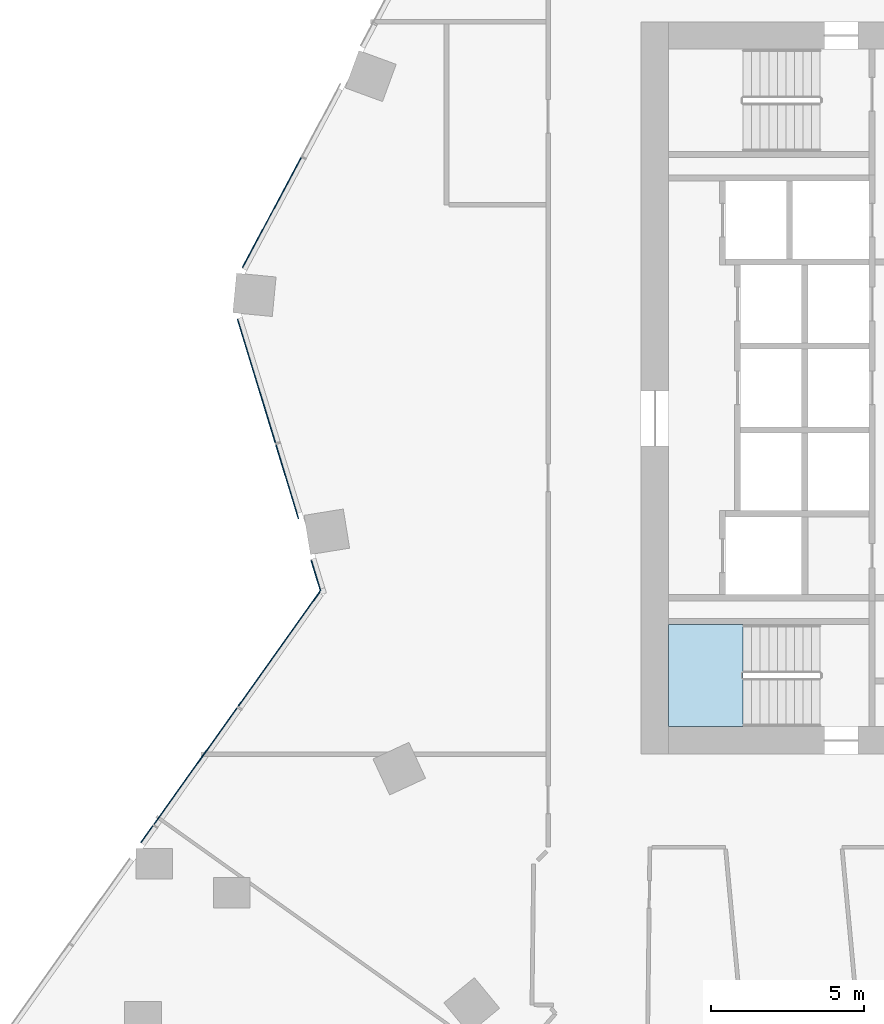
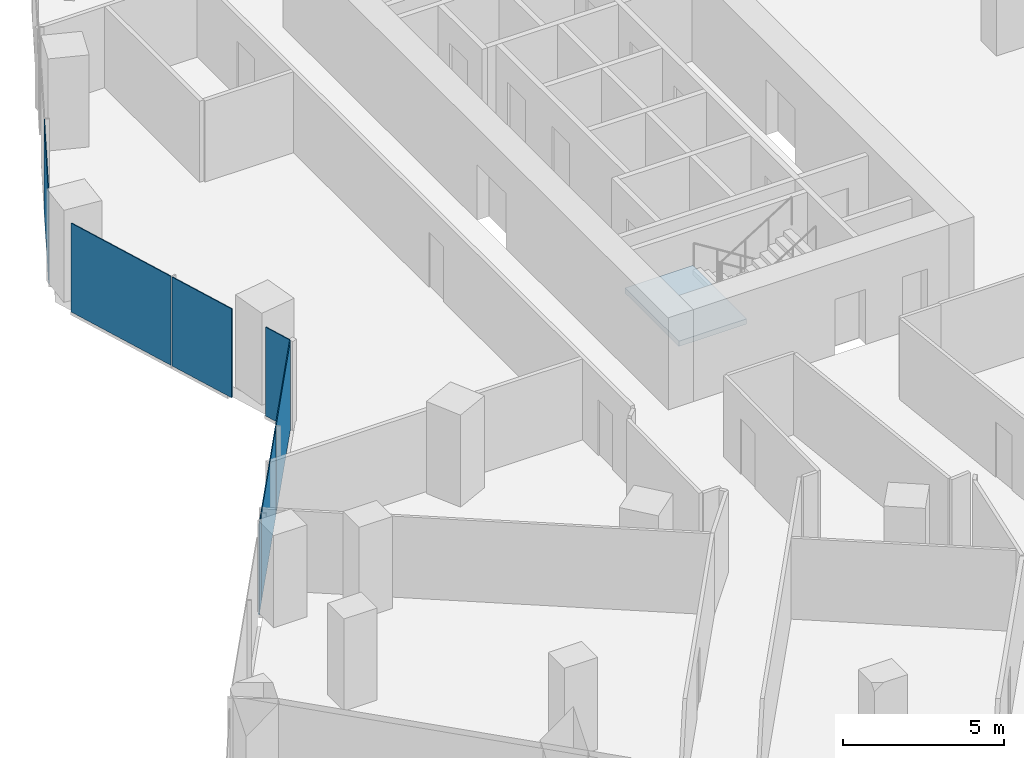
# One storey, part 18 of 31: 7 plates, 1 slab, 4 elements without a shape of their own.
"""IFC4 building model written with IfcOpenShell, lengths in metres."""

import ifcopenshell
import ifcopenshell.guid

model = None  # the IFC model being written
_history = None  # IfcOwnerHistory: only IFC2X3 demands one
_inside = {}  # id of a spatial element -> (the spatial element, [elements in it])
_under = {}  # id of a project, library or spatial element -> (it, [spatial elements below it])
_declared = {}  # id of a project -> (the project, [libraries it declares])
_typed = {}  # id of a type object -> (the type object, [elements of that type])
_made_of = {}  # id of a material, layer set ... -> (it, [elements and type objects made of it])


def new_model(schema):
    """Start an empty IFC model of exactly this schema.

    Asked for "IFC4X3", IfcOpenShell would pick the latest addendum, in which some entities
    have other attributes; the version numbers below select the first issue.
    IFC2X3 requires an IfcOwnerHistory on every rooted entity: one is made here for all.
    """
    global model, _history
    if schema == "IFC4X3":
        model = ifcopenshell.file(schema_version=(4, 3, 0, 0))
    else:
        model = ifcopenshell.file(schema=schema)
    _inside.clear()
    _under.clear()
    _declared.clear()
    _typed.clear()
    _made_of.clear()
    _history = None
    if model.schema == "IFC2X3":
        org = make("IfcOrganization", Name="unknown")
        user = make(
            "IfcPersonAndOrganization",
            ThePerson=make("IfcPerson", FamilyName="unknown"),
            TheOrganization=org,
        )
        app = make(
            "IfcApplication",
            ApplicationDeveloper=org,
            Version="unknown",
            ApplicationFullName="unknown",
            ApplicationIdentifier="unknown",
        )
        _history = make(
            "IfcOwnerHistory",
            OwningUser=user,
            OwningApplication=app,
            ChangeAction="ADDED",
            CreationDate=0,
        )
    return model


def make(cls, **values):
    """One entity of the class cls with the attributes given. An attribute that is None is left unset."""
    return model.create_entity(
        cls, **{name: value for name, value in values.items() if value is not None}
    )


def rooted(cls, **values):
    """An entity with a GlobalId (a new one), such as an element, a storey or a relation."""
    return make(cls, GlobalId=ifcopenshell.guid.new(), OwnerHistory=_history, **values)


def si_unit(unit_type, name, prefix=None):
    """IfcSIUnit, for example si_unit("LENGTHUNIT", "METRE", prefix="MILLI")."""
    return make("IfcSIUnit", UnitType=unit_type, Prefix=prefix, Name=name)


def assignment(units):
    """IfcUnitAssignment: the units of a project."""
    return None if units is None else make("IfcUnitAssignment", Units=units)


def point(xyz):
    """IfcCartesianPoint."""
    return None if xyz is None else make("IfcCartesianPoint", Coordinates=xyz)


def direction(xyz):
    """IfcDirection."""
    return None if xyz is None else make("IfcDirection", DirectionRatios=xyz)


def frame(location, z_axis=None, x_axis=None):
    """IfcAxis2Placement3D, a coordinate frame: its origin and axes. An axis left out is left unset."""
    return make(
        "IfcAxis2Placement3D",
        Location=point(location),
        Axis=direction(z_axis),
        RefDirection=direction(x_axis),
    )


def frame_2d(location, x_axis=None):
    """IfcAxis2Placement2D, a coordinate frame in the plane: its origin and x axis."""
    return make(
        "IfcAxis2Placement2D", Location=point(location), RefDirection=direction(x_axis)
    )


def origin():
    """The frame at (0, 0, 0) with its axes left unset."""
    return frame((0.0, 0.0, 0.0))


def origin_2d():
    """The frame at (0, 0) in the plane with its x axis left unset."""
    return frame_2d((0.0, 0.0))


def place(relative_to, where):
    """IfcLocalPlacement: puts the frame where relative to a parent placement (None: the world)."""
    return make(
        "IfcLocalPlacement", PlacementRelTo=relative_to, RelativePlacement=where
    )


def context(
    kind, dimensions, precision=None, world=None, true_north=None, identifier=None
):
    """IfcGeometricRepresentationContext, for example the 3D "Model" context."""
    return make(
        "IfcGeometricRepresentationContext",
        ContextIdentifier=identifier,
        ContextType=kind,
        CoordinateSpaceDimension=dimensions,
        Precision=precision,
        WorldCoordinateSystem=world,
        TrueNorth=true_north,
    )


def subcontext(parent, identifier, kind, view, scale=None):
    """IfcGeometricRepresentationSubContext, for example "Body" below "Model"."""
    return make(
        "IfcGeometricRepresentationSubContext",
        ContextIdentifier=identifier,
        ContextType=kind,
        ParentContext=parent,
        TargetScale=scale,
        TargetView=view,
    )


def project(units=None, contexts=None):
    """IfcProject with its units and contexts."""
    return rooted(
        "IfcProject",
        Name="project",
        RepresentationContexts=contexts,
        UnitsInContext=assignment(units),
    )


def spatial(cls, under=None, at=None, **own):
    """A site, building, storey or space (cls), placed at a placement, below another one or the project."""
    s = rooted(cls, ObjectPlacement=at, **own)
    if under is not None:
        _under.setdefault(under.id(), (under, []))[1].append(s)
    return s


def polyline(points):
    """IfcPolyline through the points."""
    return make("IfcPolyline", Points=[point(p) for p in points])


def profile(cls, at=None, kind="AREA", **sizes):
    """A parametric profile (cls). Its sizes go by their IFC names, for example OverallWidth=200.0."""
    return make(cls, ProfileType=kind, Position=at, **sizes)


def rectangle(**sizes):
    """IfcRectangleProfileDef."""
    return profile("IfcRectangleProfileDef", **sizes)


def outline(outer, holes=None, kind="AREA"):
    """IfcArbitraryClosedProfileDef: a profile drawn as a closed curve; with holes, ...WithVoids."""
    if holes is None:
        return make("IfcArbitraryClosedProfileDef", ProfileType=kind, OuterCurve=outer)
    return make(
        "IfcArbitraryProfileDefWithVoids",
        ProfileType=kind,
        OuterCurve=outer,
        InnerCurves=holes,
    )


def extrude(swept, where, along, depth):
    """IfcExtrudedAreaSolid: the profile swept, set in the frame where, extruded along a direction by depth."""
    return make(
        "IfcExtrudedAreaSolid",
        SweptArea=swept,
        Position=where,
        ExtrudedDirection=direction(along),
        Depth=depth,
    )


def shape(context_of_items, identifier, shape_type, items):
    """IfcShapeRepresentation: the items that make up one representation, for example the "Body"."""
    return make(
        "IfcShapeRepresentation",
        ContextOfItems=context_of_items,
        RepresentationIdentifier=identifier,
        RepresentationType=shape_type,
        Items=items,
    )


def material(Name=None, Category=None):
    """IfcMaterial."""
    return make("IfcMaterial", Name=Name, Category=Category)


def layer(
    of_material, thickness, ventilated=None, Name=None, Category=None, Priority=None
):
    """IfcMaterialLayer: one layer of a wall or slab, of a material (None: an air gap)."""
    return make(
        "IfcMaterialLayer",
        Material=of_material,
        LayerThickness=thickness,
        IsVentilated=ventilated,
        Name=Name,
        Category=Category,
        Priority=Priority,
    )


def layer_set(layers, Name=None):
    """IfcMaterialLayerSet."""
    return make("IfcMaterialLayerSet", MaterialLayers=layers, LayerSetName=Name)


def made_of(thing, what):
    """Note that an element or type object is made of a material, layer set ...; save() writes the relation."""
    if what is not None:
        _made_of.setdefault(what.id(), (what, []))[1].append(thing)
    return thing


def type_object(cls, material=None, **own):
    """A type object (cls), such as IfcWallType, which elements share."""
    return made_of(rooted(cls, **own), material)


def element(
    cls,
    number,
    at=None,
    inside=None,
    cuts=None,
    type_object=None,
    material=None,
    context=None,
    identifier="Body",
    shape_type=None,
    held_by="IfcProductDefinitionShape",
    body=None,
    shapes=None,
    **own,
):
    """One element of the class cls, such as IfcWall. Its Tag is "e" and its number.

    at: its placement. inside: the storey or other place that contains it. cuts: it is an
    opening in that element (IfcRelVoidsElement). A single representation is given by context,
    identifier, shape_type and body (its items); several are given by shapes. held_by: the class
    of the entity that holds the representations. save() writes the other relations.
    """
    e = rooted(cls, Tag="e%d" % number, ObjectPlacement=at, **own)
    if body is not None:
        shapes = [shape(context, identifier, shape_type, body)]
    if shapes is not None:
        e.Representation = make(held_by, Representations=shapes)
    if inside is not None:
        _inside.setdefault(inside.id(), (inside, []))[1].append(e)
    if cuts is not None:
        rooted(
            "IfcRelVoidsElement", RelatingBuildingElement=cuts, RelatedOpeningElement=e
        )
    if type_object is not None:
        _typed.setdefault(type_object.id(), (type_object, []))[1].append(e)
    return made_of(e, material)


def aggregate(whole, parts):
    """IfcRelAggregates: a whole, such as a stair, and the parts it consists of."""
    return rooted("IfcRelAggregates", RelatingObject=whole, RelatedObjects=parts)


def save(model, path):
    """Write the relations noted so far, then the file.

    IfcRelAggregates (storeys below a building ...), IfcRelContainedInSpatialStructure (elements
    in a storey), IfcRelDefinesByType, IfcRelAssociatesMaterial and IfcRelDeclares: one each for
    every whole, place, type object, material and project.
    """
    for whole, parts in _under.values():
        aggregate(whole, parts)
    for where, things in _inside.values():
        rooted(
            "IfcRelContainedInSpatialStructure",
            RelatedElements=things,
            RelatingStructure=where,
        )
    for kind, things in _typed.values():
        rooted("IfcRelDefinesByType", RelatedObjects=things, RelatingType=kind)
    for what, things in _made_of.values():
        rooted("IfcRelAssociatesMaterial", RelatedObjects=things, RelatingMaterial=what)
    for by, libraries in _declared.values():
        rooted("IfcRelDeclares", RelatingContext=by, RelatedDefinitions=libraries)
    model.write(path)


model = new_model("IFC4")

# Units and contexts
model_context = context("Model", 3, precision=1e-05, world=origin(), true_north=direction((0.0, 1.0)))
body_context = subcontext(model_context, "Body", "Model", "MODEL_VIEW")
ifc_project = project(units=[si_unit("LENGTHUNIT", "METRE"), si_unit("AREAUNIT", "SQUARE_METRE"), si_unit("VOLUMEUNIT", "CUBIC_METRE"), si_unit("PLANEANGLEUNIT", "RADIAN"), si_unit("MASSUNIT", "GRAM", prefix="KILO")], contexts=[model_context])

# Site, building, storey
site_placement = place(None, origin())
site = spatial("IfcSite", under=ifc_project, at=site_placement, CompositionType="ELEMENT")
building_placement = place(site_placement, origin())
building = spatial("IfcBuilding", under=site, at=building_placement, Name="Orlundy Tower", CompositionType="ELEMENT")
storey_placement = place(building_placement, frame((0.0, 0.0, 94.699951171875)))
storey = spatial("IfcBuildingStorey", under=building, at=storey_placement, Name="L23", CompositionType="ELEMENT", Elevation=94.699951171875)

# Curtain wall, plates
ifc_material_1 = material(Name="Aluminium bronze anodised", Category="aluminium")
curtain_wall_type = type_object("IfcCurtainWallType", Name="CW1 wall", PredefinedType="NOTDEFINED", material=ifc_material_1)
curtain_wall_1_placement = place(storey_placement, origin())
curtain_wall_1 = element("IfcCurtainWall", 1, at=curtain_wall_1_placement, inside=storey, type_object=curtain_wall_type, Name="CW1 run 00", PredefinedType="NOTDEFINED")
ifc_material_2 = material(Name="Tinted glass", Category="glass")
ifc_layer_1 = layer(ifc_material_2, 0.031982421875)
ifc_layer_set_1 = layer_set([ifc_layer_1], Name="CW1 glass panel 32")
plate_type = type_object("IfcPlateType", Name="CW1 glass panel 32", PredefinedType="CURTAIN_PANEL", material=ifc_layer_set_1)
plate_1_placement = place(storey_placement, frame((-35.197998046875, -14.62255859375, -0.27978515625), z_axis=(0.0, 0.0, 1.0), x_axis=(0.580700988829, 0.814116921316, 0.0)))
plate_1 = element("IfcPlate", 2, at=plate_1_placement, type_object=plate_type, Name="CW1 panel", PredefinedType="CURTAIN_PANEL", context=body_context, shape_type="SweptSolid", body=[
    extrude(rectangle(XDim=0.681640625, YDim=0.031982421875, at=origin_2d()), origin(), (0.0, 0.0, 1.0), 3.3798828125),
])
plate_2_placement = place(storey_placement, frame((-33.604736328125, -12.388916015625, -0.27978515625), z_axis=(0.0, 0.0, 1.0), x_axis=(0.580700988829, 0.814116921316, 0.0)))
plate_2 = element("IfcPlate", 3, at=plate_2_placement, type_object=plate_type, Name="CW1 panel", PredefinedType="CURTAIN_PANEL", context=body_context, shape_type="SweptSolid", body=[
    extrude(rectangle(XDim=4.70556640625, YDim=0.031982421875, at=origin_2d()), origin(), (0.0, 0.0, 1.0), 3.3798828125),
])
plate_3_placement = place(storey_placement, frame((-30.859375, -8.540283203125, -0.27978515625), z_axis=(0.0, 0.0, 1.0), x_axis=(0.580700988829, 0.814116921316, 0.0)))
plate_3 = element("IfcPlate", 4, at=plate_3_placement, type_object=plate_type, Name="CW1 panel", PredefinedType="CURTAIN_PANEL", context=body_context, shape_type="SweptSolid", body=[
    extrude(rectangle(XDim=4.649658203125, YDim=0.031982421875, at=origin_2d()), origin(), (0.0, 0.0, 1.0), 3.3798828125),
])
aggregate(curtain_wall_1, [plate_1, plate_2, plate_3])

curtain_wall_2_placement = place(storey_placement, origin())
curtain_wall_2 = element("IfcCurtainWall", 5, at=curtain_wall_2_placement, inside=storey, type_object=curtain_wall_type, Name="CW1 run 01", PredefinedType="NOTDEFINED")
plate_4_placement = place(storey_placement, frame((-29.660888671875, -6.15234375, -0.27978515625), z_axis=(0.0, 0.0, 1.0), x_axis=(-0.292389783533, 0.956299228529, 0.0)))
plate_4 = element("IfcPlate", 6, at=plate_4_placement, type_object=plate_type, Name="CW1 panel", PredefinedType="CURTAIN_PANEL", context=body_context, shape_type="SweptSolid", body=[
    extrude(rectangle(XDim=1.035888671875, YDim=0.031982421875, at=origin_2d()), origin(), (0.0, 0.0, 1.0), 3.3798828125),
])
plate_5_placement = place(storey_placement, frame((-30.603515625, -3.0693359375, -0.27978515625), z_axis=(0.0, 0.0, 1.0), x_axis=(-0.292389783533, 0.956299228529, 0.0)))
plate_5 = element("IfcPlate", 7, at=plate_5_placement, type_object=plate_type, Name="CW1 panel", PredefinedType="CURTAIN_PANEL", context=body_context, shape_type="SweptSolid", body=[
    extrude(rectangle(XDim=2.541015625, YDim=0.031982421875, at=origin_2d()), origin(), (0.0, 0.0, 1.0), 3.3798828125),
])
plate_6_placement = place(storey_placement, frame((-31.609619140625, 0.221435546875, -0.27978515625), z_axis=(0.0, 0.0, 1.0), x_axis=(-0.292389783533, 0.956299228529, 0.0)))
plate_6 = element("IfcPlate", 8, at=plate_6_placement, type_object=plate_type, Name="CW1 panel", PredefinedType="CURTAIN_PANEL", context=body_context, shape_type="SweptSolid", body=[
    extrude(rectangle(XDim=4.2412109375, YDim=0.031982421875, at=origin_2d()), origin(), (0.0, 0.0, 1.0), 3.3798828125),
])
aggregate(curtain_wall_2, [plate_4, plate_5, plate_6])

# Curtain wall, plate
curtain_wall_3_placement = place(storey_placement, origin())
curtain_wall_3 = element("IfcCurtainWall", 9, at=curtain_wall_3_placement, inside=storey, type_object=curtain_wall_type, Name="CW1 run 02", PredefinedType="NOTDEFINED")
plate_7_placement = place(storey_placement, frame((-31.10595703125, 5.74853515625, -0.27978515625), z_axis=(0.0, 0.0, 1.0), x_axis=(0.469445471129, 0.882961465544, 0.0)))
plate_7 = element("IfcPlate", 10, at=plate_7_placement, type_object=plate_type, Name="CW1 panel", PredefinedType="CURTAIN_PANEL", context=body_context, shape_type="SweptSolid", body=[
    extrude(rectangle(XDim=4.09326171875, YDim=0.031982421875, at=origin_2d()), origin(), (0.0, 0.0, 1.0), 3.3798828125),
])
aggregate(curtain_wall_3, [plate_7])

# Stair, slab
ifc_material_3 = material(Name="Concrete C50/60", Category="concrete")
stair_type = type_object("IfcStairType", Name="Exit Stair 20 risers", PredefinedType="HALF_TURN_STAIR", material=ifc_material_3)
stair_placement = place(storey_placement, origin())
stair = element("IfcStair", 11, at=stair_placement, inside=storey, type_object=stair_type, Name="L23 Exit Stair ST-W2", PredefinedType="HALF_TURN_STAIR")
ifc_material_4 = material(Name="Concrete C50/60", Category="concrete")
ifc_layer_2 = layer(ifc_material_4, 0.199951171875)
ifc_layer_set_2 = layer_set([ifc_layer_2], Name="Exit Stair Landing")
slab_type = type_object("IfcSlabType", Name="Exit Stair Landing", PredefinedType="LANDING", material=ifc_layer_set_2)
slab_placement = place(storey_placement, frame((0.0, 0.0, 1.550048828125)))
slab = element("IfcSlab", 12, at=slab_placement, type_object=slab_type, Name="ST-W2 landing 1", PredefinedType="LANDING", context=body_context, shape_type="SweptSolid", body=[
    extrude(outline(polyline([(-15.659912109375, -7.75), (-18.10009765625, -7.75), (-18.10009765625, -11.10009765625), (-15.659912109375, -11.10009765625), (-15.659912109375, -7.75)])), origin(), (0.0, 0.0, 1.0), 0.199951171875),
])
aggregate(stair, [slab])

save(model, "model.ifc")
